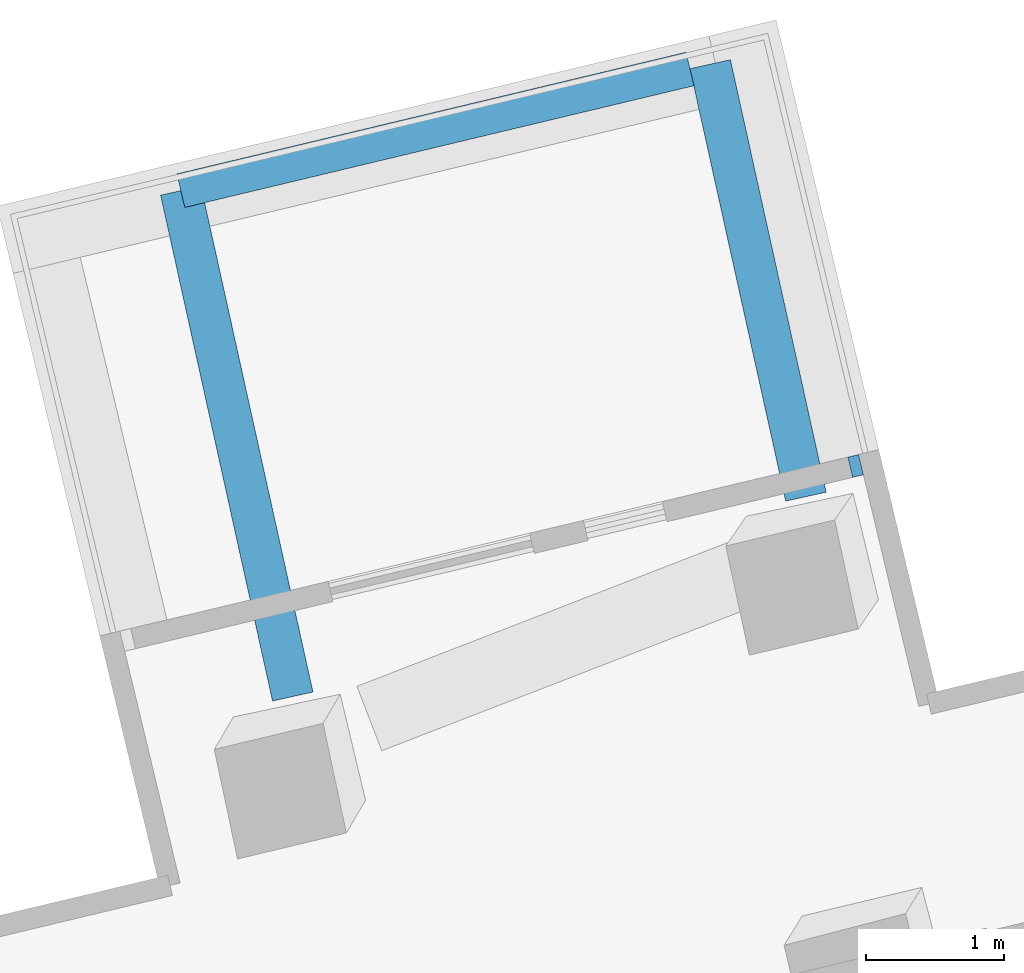
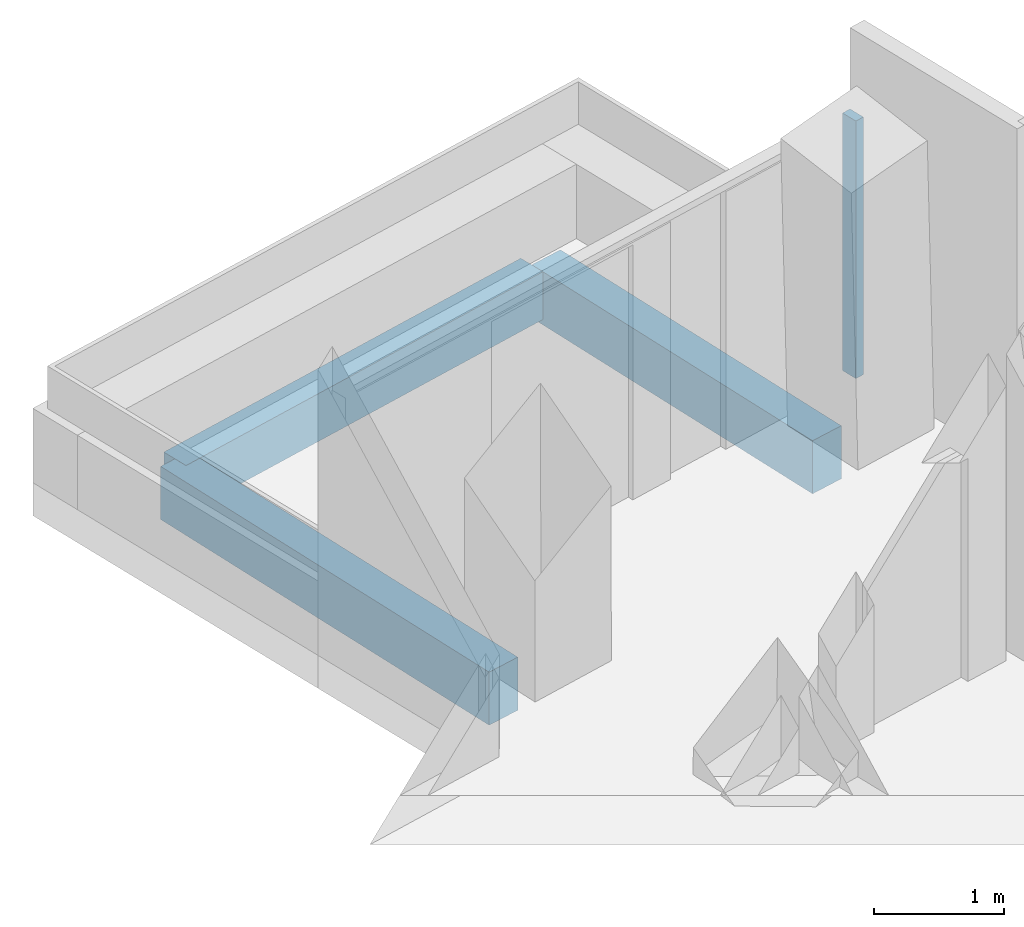
# One storey, part 12 of 27: 3 beams, 1 member, 1 element without a shape of its own.
"""IFC4 building model written with IfcOpenShell, lengths in metres."""

from ifc_helpers import new_model, si_unit, direction, frame, origin, origin_2d, place, context, subcontext, project, spatial, rectangle, extrude, material, layer, layer_set, material_profile, profile_set, type_object, element, aggregate, save


model = new_model("IFC4")

# Units and contexts
model_context = context("Model", 3, precision=1e-05, world=origin(), true_north=direction((0.0, 1.0)))
body_context = subcontext(model_context, "Body", "Model", "MODEL_VIEW")
ifc_project = project(units=[si_unit("LENGTHUNIT", "METRE"), si_unit("AREAUNIT", "SQUARE_METRE"), si_unit("VOLUMEUNIT", "CUBIC_METRE"), si_unit("PLANEANGLEUNIT", "RADIAN"), si_unit("MASSUNIT", "GRAM", prefix="KILO")], contexts=[model_context])

# Site, building, storey
site_placement = place(None, origin())
site = spatial("IfcSite", under=ifc_project, at=site_placement, CompositionType="ELEMENT")
building_placement = place(site_placement, origin())
building = spatial("IfcBuilding", under=site, at=building_placement, Name="Verdalira Terraces Hotel", CompositionType="ELEMENT")
storey_placement = place(building_placement, frame((0.0, 0.0, 89.5)))
storey = spatial("IfcBuildingStorey", under=building, at=storey_placement, Name="L20", CompositionType="ELEMENT", Elevation=89.5)

# Beams
ifc_material_1 = material(Name="Concrete C40", Category="concrete")
ifc_material_profile_1 = material_profile(ifc_material_1, rectangle(XDim=0.300049, YDim=0.5, at=origin_2d()), Name="RC 300X500")
ifc_profile_set_1 = profile_set([ifc_material_profile_1], Name="Concrete C40")
beam_type_1 = type_object("IfcBeamType", Name="Balcony cantilever beam RC 300X500 C40", PredefinedType="BEAM", material=ifc_profile_set_1)
beam_1_placement = place(storey_placement, frame((-5.777588, 34.106934, -0.560059), z_axis=(-0.216068124, 0.97637829, 0.0), x_axis=(-0.97637829, -0.216068124, 0.0)))
element("IfcBeam", 1, at=beam_1_placement, inside=storey, type_object=beam_type_1, Name="Balcony cantilever beam R05-1", PredefinedType="BEAM", context=body_context, shape_type="SweptSolid", body=[
    extrude(rectangle(XDim=0.300049, YDim=0.5, at=origin_2d()), origin(), (0.0, 0.0, 1.0), 3.207764),
])
beam_2_placement = place(storey_placement, frame((-9.493652, 32.659424, -0.560059), z_axis=(-0.216082992, 0.976375, 0.0), x_axis=(-0.976375, -0.216082992, 0.0)))
element("IfcBeam", 2, at=beam_2_placement, inside=storey, type_object=beam_type_1, Name="Balcony cantilever beam R05-2", PredefinedType="BEAM", context=body_context, shape_type="SweptSolid", body=[
    extrude(rectangle(XDim=0.300049, YDim=0.5, at=origin_2d()), origin(), (0.0, 0.0, 1.0), 3.752197),
])
ifc_material_2 = material(Name="Concrete C40", Category="concrete")
ifc_material_profile_2 = material_profile(ifc_material_2, rectangle(XDim=0.25, YDim=0.449951, at=origin_2d()), Name="RC 250X450")
ifc_profile_set_2 = profile_set([ifc_material_profile_2], Name="Concrete C40")
beam_type_2 = type_object("IfcBeamType", Name="Balcony edge beam RC 250X450 C40", PredefinedType="BEAM", material=ifc_profile_set_2)
beam_3_placement = place(storey_placement, frame((-6.616699, 37.204102, -0.534912), z_axis=(-0.972623518, -0.232386513, 0.0), x_axis=(0.232386513, -0.972623518, 0.0)))
element("IfcBeam", 3, at=beam_3_placement, inside=storey, type_object=beam_type_2, Name="Balcony edge beam R05-1", PredefinedType="BEAM", context=body_context, shape_type="SweptSolid", body=[
    extrude(rectangle(XDim=0.25, YDim=0.449951, at=origin_2d()), origin(), (0.0, 0.0, 1.0), 3.791504),
])

# Curtain wall, member
ifc_material_3 = material(Name="Clear glass", Category="glass")
ifc_layer = layer(ifc_material_3, 0.14990234375)
ifc_layer_set = layer_set([ifc_layer], Name="CW3 curtain wall")
curtain_wall_type = type_object("IfcCurtainWallType", Name="CW3 curtain wall", PredefinedType="NOTDEFINED", material=ifc_layer_set)
curtain_wall_placement = place(storey_placement, origin())
curtain_wall = element("IfcCurtainWall", 4, at=curtain_wall_placement, inside=storey, type_object=curtain_wall_type, Name="CW3 curtain wall L20 edge 5", PredefinedType="NOTDEFINED")
ifc_material_4 = material(Name="Terracotta frame", Category="masonry")
ifc_material_profile_3 = material_profile(ifc_material_4, rectangle(XDim=0.080078, YDim=0.149902, at=origin_2d()), Name="MU 80x150")
ifc_profile_set_3 = profile_set([ifc_material_profile_3], Name="Terracotta frame")
member_type = type_object("IfcMemberType", Name="CW3 mullion 80x150", PredefinedType="MULLION", material=ifc_profile_set_3)
member_placement = place(storey_placement, frame((-5.41748, 34.329102, 0.0), z_axis=(0.0, 0.0, 1.0), x_axis=(-0.972613851, -0.232426973, 0.0)))
member = element("IfcMember", 5, at=member_placement, type_object=member_type, Name="CW3 mullion", PredefinedType="MULLION", context=body_context, shape_type="SweptSolid", body=[
    extrude(rectangle(XDim=0.080078, YDim=0.149902, at=origin_2d()), origin(), (0.0, 0.0, 1.0), 2.425049),
])
aggregate(curtain_wall, [member])

save(model, "model.ifc")
